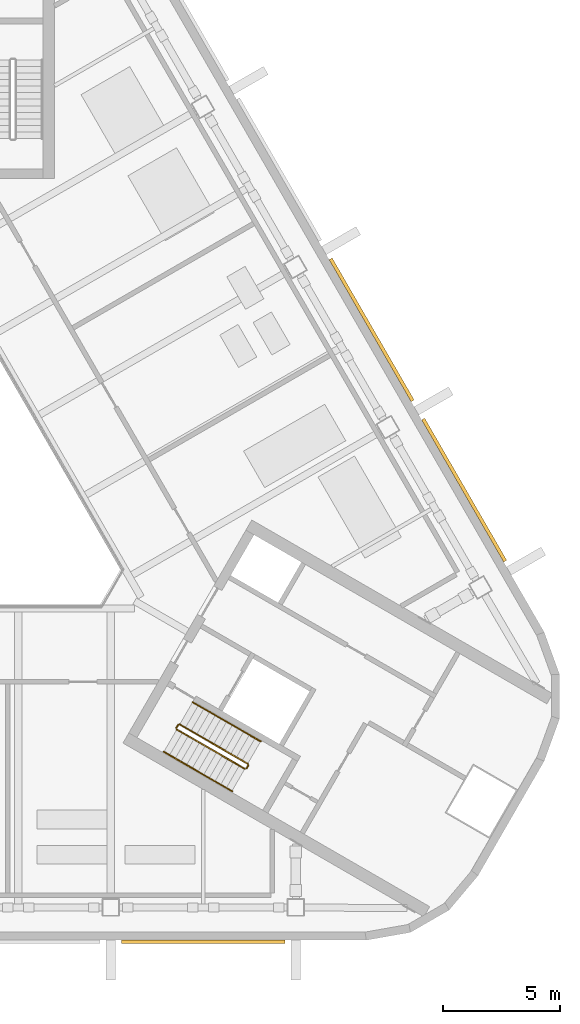
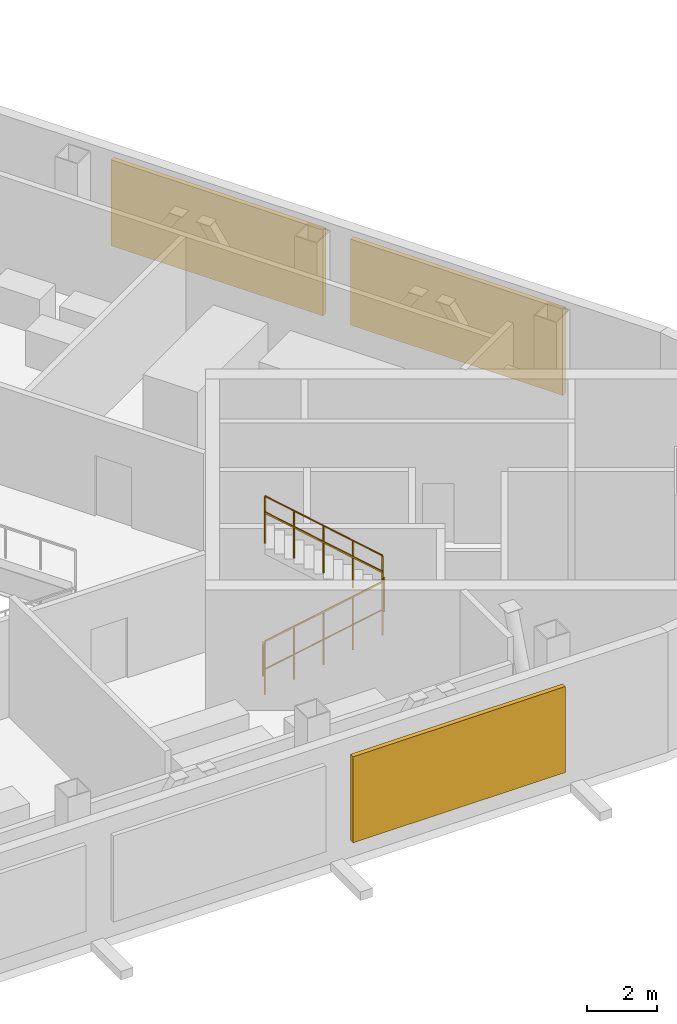
# One storey, part 13 of 15: 6 railings, 3 shading devices.
"""IFC4 building model written with IfcOpenShell, lengths in metres."""

from ifc_helpers import new_model, si_unit, direction, frame, origin, origin_2d, place, context, subcontext, project, spatial, rectangle, circle, extrude, material, type_object, element, save


model = new_model("IFC4")

# Units and contexts
model_context = context("Model", 3, precision=1e-05, world=origin(), true_north=direction((0.0, 1.0)))
body_context = subcontext(model_context, "Body", "Model", "MODEL_VIEW")
ifc_project = project(units=[si_unit("LENGTHUNIT", "METRE"), si_unit("AREAUNIT", "SQUARE_METRE"), si_unit("VOLUMEUNIT", "CUBIC_METRE"), si_unit("PLANEANGLEUNIT", "RADIAN"), si_unit("MASSUNIT", "GRAM", prefix="KILO")], contexts=[model_context])

# Site, building, storey
site_placement = place(None, origin())
site = spatial("IfcSite", under=ifc_project, at=site_placement, CompositionType="ELEMENT")
building_placement = place(site_placement, origin())
building = spatial("IfcBuilding", under=site, at=building_placement, Name="Apuvela Tower Hotel", CompositionType="ELEMENT")
storey_placement = place(building_placement, frame((0.0, 0.0, 237.699951171875)))
storey = spatial("IfcBuildingStorey", under=building, at=storey_placement, Name="L58 Plant", CompositionType="ELEMENT", Elevation=237.699951171875)

# Railings
ifc_material_1 = material(Name="Steel S275 balustrade", Category="steel")
railing_type_1 = type_object("IfcRailingType", Name="COR-GUARD-1100", PredefinedType="GUARDRAIL", material=ifc_material_1)
railing_1_placement = place(storey_placement, frame((10.718994140625, -10.63427734375, 0.173095703125)))
element("IfcRailing", 1, at=railing_1_placement, inside=storey, type_object=railing_type_1, Name="L58 Plant ST3 stair guard 1", PredefinedType="GUARDRAIL", context=body_context, shape_type="SweptSolid", body=[
    extrude(rectangle(XDim=0.048095703125, YDim=0.048095703125, at=origin_2d()), frame((0.0, 0.0, 1.076171875), z_axis=(0.736667954249, -0.425288379326, 0.525785240943), x_axis=(0.499976138585, 0.866039179741, 0.0)), (0.0, 0.0, 1.0), 3.9501953125),
    extrude(rectangle(XDim=0.0419921875, YDim=0.0419921875, at=origin_2d()), origin(), (0.0, 0.0, 1.0), 1.052001953125),
    extrude(rectangle(XDim=0.0419921875, YDim=0.0419921875, at=origin_2d()), frame((0.7275390625, -0.419921875, 0.519287109375)), (0.0, 0.0, 1.0), 1.052001953125),
    extrude(rectangle(XDim=0.0419921875, YDim=0.0419921875, at=origin_2d()), frame((1.455078125, -0.83984375, 1.03857421875)), (0.0, 0.0, 1.0), 1.052001953125),
    extrude(rectangle(XDim=0.0419921875, YDim=0.0419921875, at=origin_2d()), frame((2.182373046875, -1.260009765625, 1.5576171875)), (0.0, 0.0, 1.0), 1.052001953125),
    extrude(rectangle(XDim=0.0419921875, YDim=0.0419921875, at=origin_2d()), frame((2.909912109375, -1.679931640625, 2.076904296875)), (0.0, 0.0, 1.0), 1.052001953125),
])
railing_2_placement = place(storey_placement, frame((13.697021484375, -12.2958984375, 2.25)))
element("IfcRailing", 2, at=railing_2_placement, inside=storey, type_object=railing_type_1, Name="L58 Plant ST3 stair guard 2", PredefinedType="GUARDRAIL", context=body_context, shape_type="SweptSolid", body=[
    extrude(rectangle(XDim=0.048095703125, YDim=0.048095703125, at=origin_2d()), frame((0.0, 0.0, 1.076171875), z_axis=(0.501036270542, 0.865426285481, 0.0), x_axis=(-0.865426285481, 0.501036270542, 0.0)), (0.0, 0.0, 1.0), 0.150146484375),
    extrude(rectangle(XDim=0.0419921875, YDim=0.0419921875, at=origin_2d()), origin(), (0.0, 0.0, 1.0), 1.052001953125),
    extrude(rectangle(XDim=0.0419921875, YDim=0.0419921875, at=origin_2d()), frame((0.0751953125, 0.1298828125, 0.0)), (0.0, 0.0, 1.0), 1.052001953125),
])
railing_3_placement = place(storey_placement, frame((13.75390625, -12.09765625, 2.423095703125)))
element("IfcRailing", 3, at=railing_3_placement, inside=storey, type_object=railing_type_1, Name="L58 Plant ST3 stair guard 3", PredefinedType="GUARDRAIL", context=body_context, shape_type="SweptSolid", body=[
    extrude(rectangle(XDim=0.048095703125, YDim=0.048095703125, at=origin_2d()), frame((0.0, 0.0, 1.076171875), z_axis=(-0.736667954249, 0.425288379326, 0.525785240943), x_axis=(-0.499976138585, -0.866039179741, 0.0)), (0.0, 0.0, 1.0), 3.9501953125),
    extrude(rectangle(XDim=0.0419921875, YDim=0.0419921875, at=origin_2d()), origin(), (0.0, 0.0, 1.0), 1.052001953125),
    extrude(rectangle(XDim=0.0419921875, YDim=0.0419921875, at=origin_2d()), frame((-0.7275390625, 0.419921875, 0.519287109375)), (0.0, 0.0, 1.0), 1.052001953125),
    extrude(rectangle(XDim=0.0419921875, YDim=0.0419921875, at=origin_2d()), frame((-1.455078125, 0.83984375, 1.03857421875)), (0.0, 0.0, 1.0), 1.052001953125),
    extrude(rectangle(XDim=0.0419921875, YDim=0.0419921875, at=origin_2d()), frame((-2.182373046875, 1.260009765625, 1.5576171875)), (0.0, 0.0, 1.0), 1.052001953125),
    extrude(rectangle(XDim=0.0419921875, YDim=0.0419921875, at=origin_2d()), frame((-2.909912109375, 1.679931640625, 2.076904296875)), (0.0, 0.0, 1.0), 1.052001953125),
])
railing_4_placement = place(storey_placement, frame((10.70068359375, -10.56591796875, 0.0)))
element("IfcRailing", 4, at=railing_4_placement, inside=storey, type_object=railing_type_1, Name="L58 Plant ST3 stair guard 4", PredefinedType="GUARDRAIL", context=body_context, shape_type="SweptSolid", body=[
    extrude(rectangle(XDim=0.048095703125, YDim=0.048095703125, at=origin_2d()), frame((0.0, 0.0, 1.076171875), z_axis=(0.499816412211, 0.866131372301, 0.0), x_axis=(-0.866131372301, 0.499816412211, 0.0)), (0.0, 0.0, 1.0), 0.14990234375),
    extrude(rectangle(XDim=0.0419921875, YDim=0.0419921875, at=origin_2d()), origin(), (0.0, 0.0, 1.0), 1.052001953125),
    extrude(rectangle(XDim=0.0419921875, YDim=0.0419921875, at=origin_2d()), frame((0.074951171875, 0.1298828125, 0.0)), (0.0, 0.0, 1.0), 1.052001953125),
])
ifc_material_2 = material(Name="Stainless steel 316 handrail", Category="steel")
railing_type_2 = type_object("IfcRailingType", Name="COR-HANDRAIL-900", PredefinedType="HANDRAIL", material=ifc_material_2)
railing_5_placement = place(storey_placement, frame((10.1689453125, -11.5869140625, 0.173095703125)))
element("IfcRailing", 5, at=railing_5_placement, inside=storey, type_object=railing_type_2, Name="L58 Plant ST3 stair handrail 1", PredefinedType="HANDRAIL", context=body_context, shape_type="SweptSolid", body=[
    extrude(circle(Radius=0.02392578125, at=origin_2d()), frame((0.0, 0.0, 0.8759765625), z_axis=(0.736667954249, -0.425288379326, 0.525785240943), x_axis=(0.499976138585, 0.866039179741, 0.0)), (0.0, 0.0, 1.0), 3.9501953125),
    extrude(rectangle(XDim=0.0419921875, YDim=0.0419921875, at=origin_2d()), origin(), (0.0, 0.0, 1.0), 0.851806640625),
    extrude(rectangle(XDim=0.0419921875, YDim=0.0419921875, at=origin_2d()), frame((0.7275390625, -0.419921875, 0.519287109375)), (0.0, 0.0, 1.0), 0.851806640625),
    extrude(rectangle(XDim=0.0419921875, YDim=0.0419921875, at=origin_2d()), frame((1.455078125, -0.83984375, 1.03857421875)), (0.0, 0.0, 1.0), 0.851806640625),
    extrude(rectangle(XDim=0.0419921875, YDim=0.0419921875, at=origin_2d()), frame((2.182373046875, -1.260009765625, 1.5576171875)), (0.0, 0.0, 1.0), 0.851806640625),
    extrude(rectangle(XDim=0.0419921875, YDim=0.0419921875, at=origin_2d()), frame((2.909912109375, -1.679931640625, 2.076904296875)), (0.0, 0.0, 1.0), 0.851806640625),
])
railing_6_placement = place(storey_placement, frame((14.3037109375, -11.14501953125, 2.423095703125)))
element("IfcRailing", 6, at=railing_6_placement, inside=storey, type_object=railing_type_2, Name="L58 Plant ST3 stair handrail 2", PredefinedType="HANDRAIL", context=body_context, shape_type="SweptSolid", body=[
    extrude(circle(Radius=0.02392578125, at=origin_2d()), frame((0.0, 0.0, 0.8759765625), z_axis=(-0.736639687092, 0.425307743487, 0.525809180911), x_axis=(-0.500007602105, -0.866021014662, 0.0)), (0.0, 0.0, 1.0), 3.949951171875),
    extrude(rectangle(XDim=0.0419921875, YDim=0.0419921875, at=origin_2d()), origin(), (0.0, 0.0, 1.0), 0.851806640625),
    extrude(rectangle(XDim=0.0419921875, YDim=0.0419921875, at=origin_2d()), frame((-0.7275390625, 0.419921875, 0.519287109375)), (0.0, 0.0, 1.0), 0.851806640625),
    extrude(rectangle(XDim=0.0419921875, YDim=0.0419921875, at=origin_2d()), frame((-1.454833984375, 0.83984375, 1.03857421875)), (0.0, 0.0, 1.0), 0.851806640625),
    extrude(rectangle(XDim=0.0419921875, YDim=0.0419921875, at=origin_2d()), frame((-2.18212890625, 1.260009765625, 1.5576171875)), (0.0, 0.0, 1.0), 0.851806640625),
    extrude(rectangle(XDim=0.0419921875, YDim=0.0419921875, at=origin_2d()), frame((-2.90966796875, 1.679931640625, 2.076904296875)), (0.0, 0.0, 1.0), 0.851806640625),
])

# Shading devices
ifc_material_3 = material(Name="Aluminium 6063-T6, black anodised louvre blades", Category="aluminium")
shading_device_type = type_object("IfcShadingDeviceType", Name="ENV-LOUVRE-SCREEN", PredefinedType="USERDEFINED", material=ifc_material_3)
for number, where, z_axis, x_axis, name in (
    (7, (11.85009765625, -19.705078125, 0.60009765625), (0.0, 0.0, 1.0), (1.0, 0.0, 0.0), "Plant louvre S4"),
    (8, (22.989990234375, -0.409912109375, 0.60009765625), (0.0, 0.0, 1.0), (-0.5, 0.866025403784, 0.0), "Plant louvre NE5"),
    (9, (19.0400390625, 6.431640625, 0.60009765625), (0.0, 0.0, 1.0), (-0.5, 0.866025403784, 0.0), "Plant louvre NE6"),
):
    element("IfcShadingDevice", number, at=place(storey_placement, frame(where, z_axis=z_axis, x_axis=x_axis)), inside=storey, type_object=shading_device_type, Name=name, ObjectType="LOUVRE", PredefinedType="USERDEFINED", context=body_context, shape_type="SweptSolid", body=[
        extrude(rectangle(XDim=7.0, YDim=0.14990234375, at=origin_2d()), origin(), (0.0, 0.0, 1.0), 3.0),
    ])

save(model, "model.ifc")
